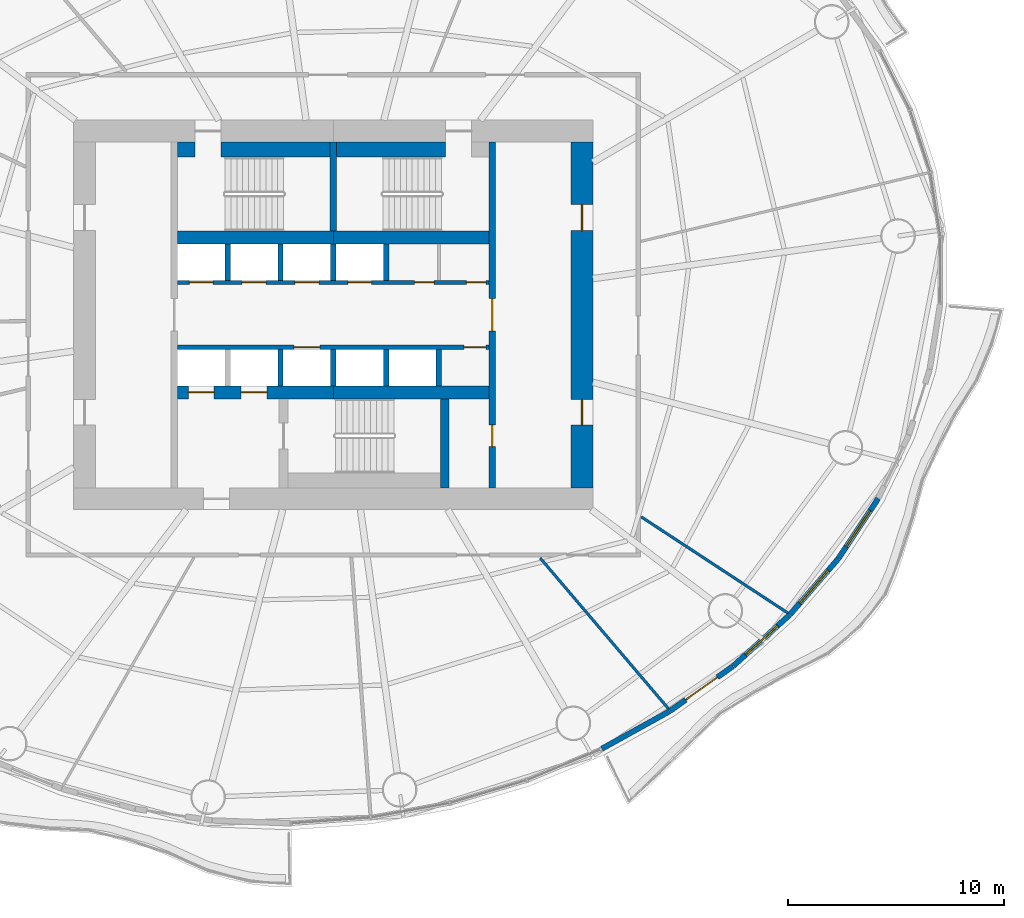
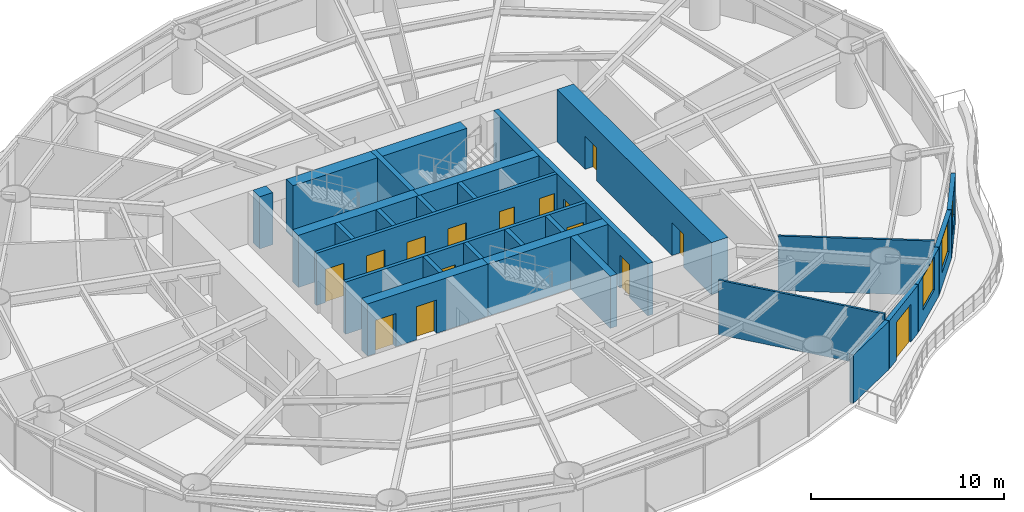
# One storey, part 9 of 16: 28 walls, 15 doors, 3 windows, 18 openings.
"""IFC4 building model written with IfcOpenShell, lengths in metres."""

import ifcopenshell
import ifcopenshell.guid

model = None  # the IFC model being written
_history = None  # IfcOwnerHistory: only IFC2X3 demands one
_inside = {}  # id of a spatial element -> (the spatial element, [elements in it])
_under = {}  # id of a project, library or spatial element -> (it, [spatial elements below it])
_declared = {}  # id of a project -> (the project, [libraries it declares])
_typed = {}  # id of a type object -> (the type object, [elements of that type])
_made_of = {}  # id of a material, layer set ... -> (it, [elements and type objects made of it])


def new_model(schema):
    """Start an empty IFC model of exactly this schema.

    Asked for "IFC4X3", IfcOpenShell would pick the latest addendum, in which some entities
    have other attributes; the version numbers below select the first issue.
    IFC2X3 requires an IfcOwnerHistory on every rooted entity: one is made here for all.
    """
    global model, _history
    if schema == "IFC4X3":
        model = ifcopenshell.file(schema_version=(4, 3, 0, 0))
    else:
        model = ifcopenshell.file(schema=schema)
    _inside.clear()
    _under.clear()
    _declared.clear()
    _typed.clear()
    _made_of.clear()
    _history = None
    if model.schema == "IFC2X3":
        org = make("IfcOrganization", Name="unknown")
        user = make(
            "IfcPersonAndOrganization",
            ThePerson=make("IfcPerson", FamilyName="unknown"),
            TheOrganization=org,
        )
        app = make(
            "IfcApplication",
            ApplicationDeveloper=org,
            Version="unknown",
            ApplicationFullName="unknown",
            ApplicationIdentifier="unknown",
        )
        _history = make(
            "IfcOwnerHistory",
            OwningUser=user,
            OwningApplication=app,
            ChangeAction="ADDED",
            CreationDate=0,
        )
    return model


def make(cls, **values):
    """One entity of the class cls with the attributes given. An attribute that is None is left unset."""
    return model.create_entity(
        cls, **{name: value for name, value in values.items() if value is not None}
    )


def rooted(cls, **values):
    """An entity with a GlobalId (a new one), such as an element, a storey or a relation."""
    return make(cls, GlobalId=ifcopenshell.guid.new(), OwnerHistory=_history, **values)


def si_unit(unit_type, name, prefix=None):
    """IfcSIUnit, for example si_unit("LENGTHUNIT", "METRE", prefix="MILLI")."""
    return make("IfcSIUnit", UnitType=unit_type, Prefix=prefix, Name=name)


def assignment(units):
    """IfcUnitAssignment: the units of a project."""
    return None if units is None else make("IfcUnitAssignment", Units=units)


def point(xyz):
    """IfcCartesianPoint."""
    return None if xyz is None else make("IfcCartesianPoint", Coordinates=xyz)


def direction(xyz):
    """IfcDirection."""
    return None if xyz is None else make("IfcDirection", DirectionRatios=xyz)


def frame(location, z_axis=None, x_axis=None):
    """IfcAxis2Placement3D, a coordinate frame: its origin and axes. An axis left out is left unset."""
    return make(
        "IfcAxis2Placement3D",
        Location=point(location),
        Axis=direction(z_axis),
        RefDirection=direction(x_axis),
    )


def frame_2d(location, x_axis=None):
    """IfcAxis2Placement2D, a coordinate frame in the plane: its origin and x axis."""
    return make(
        "IfcAxis2Placement2D", Location=point(location), RefDirection=direction(x_axis)
    )


def origin():
    """The frame at (0, 0, 0) with its axes left unset."""
    return frame((0.0, 0.0, 0.0))


def place(relative_to, where):
    """IfcLocalPlacement: puts the frame where relative to a parent placement (None: the world)."""
    return make(
        "IfcLocalPlacement", PlacementRelTo=relative_to, RelativePlacement=where
    )


def context(
    kind, dimensions, precision=None, world=None, true_north=None, identifier=None
):
    """IfcGeometricRepresentationContext, for example the 3D "Model" context."""
    return make(
        "IfcGeometricRepresentationContext",
        ContextIdentifier=identifier,
        ContextType=kind,
        CoordinateSpaceDimension=dimensions,
        Precision=precision,
        WorldCoordinateSystem=world,
        TrueNorth=true_north,
    )


def subcontext(parent, identifier, kind, view, scale=None):
    """IfcGeometricRepresentationSubContext, for example "Body" below "Model"."""
    return make(
        "IfcGeometricRepresentationSubContext",
        ContextIdentifier=identifier,
        ContextType=kind,
        ParentContext=parent,
        TargetScale=scale,
        TargetView=view,
    )


def project(units=None, contexts=None):
    """IfcProject with its units and contexts."""
    return rooted(
        "IfcProject",
        Name="project",
        RepresentationContexts=contexts,
        UnitsInContext=assignment(units),
    )


def spatial(cls, under=None, at=None, **own):
    """A site, building, storey or space (cls), placed at a placement, below another one or the project."""
    s = rooted(cls, ObjectPlacement=at, **own)
    if under is not None:
        _under.setdefault(under.id(), (under, []))[1].append(s)
    return s


def profile(cls, at=None, kind="AREA", **sizes):
    """A parametric profile (cls). Its sizes go by their IFC names, for example OverallWidth=200.0."""
    return make(cls, ProfileType=kind, Position=at, **sizes)


def rectangle(**sizes):
    """IfcRectangleProfileDef."""
    return profile("IfcRectangleProfileDef", **sizes)


def extrude(swept, where, along, depth):
    """IfcExtrudedAreaSolid: the profile swept, set in the frame where, extruded along a direction by depth."""
    return make(
        "IfcExtrudedAreaSolid",
        SweptArea=swept,
        Position=where,
        ExtrudedDirection=direction(along),
        Depth=depth,
    )


def shape(context_of_items, identifier, shape_type, items):
    """IfcShapeRepresentation: the items that make up one representation, for example the "Body"."""
    return make(
        "IfcShapeRepresentation",
        ContextOfItems=context_of_items,
        RepresentationIdentifier=identifier,
        RepresentationType=shape_type,
        Items=items,
    )


def material(Name=None, Category=None):
    """IfcMaterial."""
    return make("IfcMaterial", Name=Name, Category=Category)


def layer(
    of_material, thickness, ventilated=None, Name=None, Category=None, Priority=None
):
    """IfcMaterialLayer: one layer of a wall or slab, of a material (None: an air gap)."""
    return make(
        "IfcMaterialLayer",
        Material=of_material,
        LayerThickness=thickness,
        IsVentilated=ventilated,
        Name=Name,
        Category=Category,
        Priority=Priority,
    )


def layer_set(layers, Name=None):
    """IfcMaterialLayerSet."""
    return make("IfcMaterialLayerSet", MaterialLayers=layers, LayerSetName=Name)


def made_of(thing, what):
    """Note that an element or type object is made of a material, layer set ...; save() writes the relation."""
    if what is not None:
        _made_of.setdefault(what.id(), (what, []))[1].append(thing)
    return thing


def type_object(cls, material=None, **own):
    """A type object (cls), such as IfcWallType, which elements share."""
    return made_of(rooted(cls, **own), material)


def element(
    cls,
    number,
    at=None,
    inside=None,
    cuts=None,
    type_object=None,
    material=None,
    context=None,
    identifier="Body",
    shape_type=None,
    held_by="IfcProductDefinitionShape",
    body=None,
    shapes=None,
    **own,
):
    """One element of the class cls, such as IfcWall. Its Tag is "e" and its number.

    at: its placement. inside: the storey or other place that contains it. cuts: it is an
    opening in that element (IfcRelVoidsElement). A single representation is given by context,
    identifier, shape_type and body (its items); several are given by shapes. held_by: the class
    of the entity that holds the representations. save() writes the other relations.
    """
    e = rooted(cls, Tag="e%d" % number, ObjectPlacement=at, **own)
    if body is not None:
        shapes = [shape(context, identifier, shape_type, body)]
    if shapes is not None:
        e.Representation = make(held_by, Representations=shapes)
    if inside is not None:
        _inside.setdefault(inside.id(), (inside, []))[1].append(e)
    if cuts is not None:
        rooted(
            "IfcRelVoidsElement", RelatingBuildingElement=cuts, RelatedOpeningElement=e
        )
    if type_object is not None:
        _typed.setdefault(type_object.id(), (type_object, []))[1].append(e)
    return made_of(e, material)


def fill(opening, filler):
    """IfcRelFillsElement: the door or window that sits in an opening."""
    return rooted(
        "IfcRelFillsElement",
        RelatingOpeningElement=opening,
        RelatedBuildingElement=filler,
    )


def aggregate(whole, parts):
    """IfcRelAggregates: a whole, such as a stair, and the parts it consists of."""
    return rooted("IfcRelAggregates", RelatingObject=whole, RelatedObjects=parts)


def save(model, path):
    """Write the relations noted so far, then the file.

    IfcRelAggregates (storeys below a building ...), IfcRelContainedInSpatialStructure (elements
    in a storey), IfcRelDefinesByType, IfcRelAssociatesMaterial and IfcRelDeclares: one each for
    every whole, place, type object, material and project.
    """
    for whole, parts in _under.values():
        aggregate(whole, parts)
    for where, things in _inside.values():
        rooted(
            "IfcRelContainedInSpatialStructure",
            RelatedElements=things,
            RelatingStructure=where,
        )
    for kind, things in _typed.values():
        rooted("IfcRelDefinesByType", RelatedObjects=things, RelatingType=kind)
    for what, things in _made_of.values():
        rooted("IfcRelAssociatesMaterial", RelatedObjects=things, RelatingMaterial=what)
    for by, libraries in _declared.values():
        rooted("IfcRelDeclares", RelatingContext=by, RelatedDefinitions=libraries)
    model.write(path)


model = new_model("IFC4")

# Units and contexts
model_context = context("Model", 3, precision=1e-05, world=origin(), true_north=direction((0.0, 1.0)))
body_context = subcontext(model_context, "Body", "Model", "MODEL_VIEW")
ifc_project = project(units=[si_unit("LENGTHUNIT", "METRE"), si_unit("AREAUNIT", "SQUARE_METRE"), si_unit("VOLUMEUNIT", "CUBIC_METRE"), si_unit("PLANEANGLEUNIT", "RADIAN"), si_unit("MASSUNIT", "GRAM", prefix="KILO")], contexts=[model_context])

# Site, building, storey
site_placement = place(None, origin())
site = spatial("IfcSite", under=ifc_project, at=site_placement, CompositionType="ELEMENT")
building_placement = place(site_placement, origin())
building = spatial("IfcBuilding", under=site, at=building_placement, Name="Vermilion Reach Broadcast Tower", CompositionType="ELEMENT")
storey_placement = place(building_placement, frame((0.0, 0.0, 88.60009765625)))
storey = spatial("IfcBuildingStorey", under=building, at=storey_placement, Name="L19", CompositionType="ELEMENT", Elevation=88.60009765625)

# Wall, openings, doors
ifc_material_1 = material(Name="Concrete C70", Category="concrete")
ifc_layer_1 = layer(ifc_material_1, 0.300048828125)
ifc_layer_set_1 = layer_set([ifc_layer_1], Name="Core inner wall 300 mm Concrete C70")
wall_type_1 = type_object("IfcWallType", Name="Core inner wall 300 mm Concrete C70", PredefinedType="SHEAR", material=ifc_layer_set_1)
wall_1_placement = place(storey_placement, frame((1.35009765625, -8.0, 0.0), z_axis=(0.0, 0.0, 1.0), x_axis=(0.0, 1.0, 0.0)))
wall_1 = element("IfcWall", 1, at=wall_1_placement, inside=storey, type_object=wall_type_1, Name="L19 core wall ewE", PredefinedType="SHEAR", context=body_context, shape_type="SweptSolid", body=[
    extrude(rectangle(XDim=16.0, YDim=0.300048828125, at=frame_2d((8.0, 0.0))), origin(), (0.0, 0.0, 1.0), 3.2998046875),
])
opening_1_placement = place(wall_1_placement, frame((1.909912109375, 0.0, 0.0)))
opening_1 = element("IfcOpeningElement", 2, at=opening_1_placement, cuts=wall_1, Name="Opening D05", PredefinedType="OPENING", context=body_context, shape_type="SweptSolid", body=[
    extrude(rectangle(XDim=1.0, YDim=2.10009765625, at=frame_2d((0.5, 1.050048828125))), frame((0.0, 0.159912109375, 0.0), z_axis=(0.0, -1.0, 0.0), x_axis=(1.0, 0.0, 0.0)), (0.0, 0.0, 1.0), 0.320068359375),
])
opening_2_placement = place(wall_1_placement, frame((7.25, 0.0, 0.0)))
opening_2 = element("IfcOpeningElement", 3, at=opening_2_placement, cuts=wall_1, Name="Opening D04", PredefinedType="OPENING", context=body_context, shape_type="SweptSolid", body=[
    extrude(rectangle(XDim=1.5, YDim=2.10009765625, at=frame_2d((0.75, 1.050048828125))), frame((0.0, 0.159912109375, 0.0), z_axis=(0.0, -1.0, 0.0), x_axis=(1.0, 0.0, 0.0)), (0.0, 0.0, 1.0), 0.320068359375),
])
ifc_material_2 = material(Name="Painted steel fire door", Category="steel")
door_type_1 = type_object("IfcDoorType", Name="Lift lobby door 1500 x 2100", OperationType="DOUBLE_DOOR_SINGLE_SWING", PredefinedType="NOTDEFINED", material=ifc_material_2)
door_1_placement = place(opening_2_placement, origin())
door_1 = element("IfcDoor", 4, at=door_1_placement, inside=storey, type_object=door_type_1, Name="L19 band door BE", OperationType="DOUBLE_DOOR_SINGLE_SWING", OverallHeight=2.10009765625, OverallWidth=1.5, PredefinedType="NOTDEFINED", context=body_context, shape_type="SweptSolid", body=[
    extrude(rectangle(XDim=1.5, YDim=2.10009765625, at=frame_2d((0.75, 1.050048828125))), frame((0.0, 0.02490234375, 0.0), z_axis=(0.0, -1.0, 0.0), x_axis=(1.0, 0.0, 0.0)), (0.0, 0.0, 1.0), 0.050048828125),
])
fill(opening_2, door_1)
ifc_material_3 = material(Name="Timber door", Category="wood")
door_type_2 = type_object("IfcDoorType", Name="Room door 1000 x 2100", OperationType="NOTDEFINED", PredefinedType="NOTDEFINED", material=ifc_material_3)
door_2_placement = place(opening_1_placement, origin())
door_2 = element("IfcDoor", 5, at=door_2_placement, inside=storey, type_object=door_type_2, Name="L19 door SER", OperationType="SINGLE_SWING_LEFT", OverallHeight=2.10009765625, OverallWidth=1.0, PredefinedType="NOTDEFINED", context=body_context, shape_type="SweptSolid", body=[
    extrude(rectangle(XDim=1.0, YDim=2.10009765625, at=frame_2d((0.5, 1.050048828125))), frame((0.0, 0.02490234375, 0.0), z_axis=(0.0, -1.0, 0.0), x_axis=(1.0, 0.0, 0.0)), (0.0, 0.0, 1.0), 0.050048828125),
])
fill(opening_1, door_2)

# Walls
wall_2_placement = place(storey_placement, frame((-6.0, 3.8798828125, 0.0), z_axis=(0.0, 0.0, 1.0), x_axis=(0.0, 1.0, 0.0)))
element("IfcWall", 6, at=wall_2_placement, inside=storey, type_object=wall_type_1, Name="L19 core wall wc", PredefinedType="SHEAR", context=body_context, shape_type="SweptSolid", body=[
    extrude(rectangle(XDim=4.1201171875, YDim=0.300048828125, at=frame_2d((2.06005859375, 0.0))), origin(), (0.0, 0.0, 1.0), 3.2998046875),
])
ifc_material_4 = material(Name="Concrete C70", Category="concrete")
ifc_layer_2 = layer(ifc_material_4, 0.39990234375)
ifc_layer_set_2 = layer_set([ifc_layer_2], Name="Core inner wall 400 mm Concrete C70")
wall_type_2 = type_object("IfcWallType", Name="Core inner wall 400 mm Concrete C70", PredefinedType="SHEAR", material=ifc_layer_set_2)
wall_3_placement = place(storey_placement, frame((-0.85009765625, -3.8798828125, 0.0), z_axis=(0.0, 0.0, 1.0), x_axis=(0.0, -1.0, 0.0)))
element("IfcWall", 7, at=wall_3_placement, inside=storey, type_object=wall_type_2, Name="L19 core wall wb", PredefinedType="SHEAR", context=body_context, shape_type="SweptSolid", body=[
    extrude(rectangle(XDim=4.1201171875, YDim=0.39990234375, at=frame_2d((2.06005859375, 0.0))), origin(), (0.0, 0.0, 1.0), 3.2998046875),
])
ifc_material_5 = material(Name="Concrete C70", Category="concrete")
ifc_layer_3 = layer(ifc_material_5, 0.60009765625)
ifc_layer_set_3 = layer_set([ifc_layer_3], Name="Core inner wall 600 mm Concrete C70")
wall_type_3 = type_object("IfcWallType", Name="Core inner wall 600 mm Concrete C70", PredefinedType="SHEAR", material=ifc_layer_set_3)
for number, where, z_axis, x_axis, name in (
    (8, (-13.199951171875, 3.580078125, 0.0), (0.0, 0.0, 1.0), (1.0, 0.0, 0.0), "L19 core wall winW"),
    (9, (-6.0, 3.580078125, 0.0), (0.0, 0.0, 1.0), (1.0, 0.0, 0.0), "L19 core wall winE"),
):
    element("IfcWall", number, at=place(storey_placement, frame(where, z_axis=z_axis, x_axis=x_axis)), inside=storey, type_object=wall_type_3, Name=name, PredefinedType="SHEAR", context=body_context, shape_type="SweptSolid", body=[
        extrude(rectangle(XDim=7.199951171875, YDim=0.60009765625, at=frame_2d((3.60009765625, 0.0))), origin(), (0.0, 0.0, 1.0), 3.2998046875),
    ])

# Wall, openings, doors
wall_4_placement = place(storey_placement, frame((-13.199951171875, -3.580078125, 0.0), z_axis=(0.0, 0.0, 1.0), x_axis=(1.0, 0.0, 0.0)))
wall_4 = element("IfcWall", 10, at=wall_4_placement, inside=storey, type_object=wall_type_3, Name="L19 core wall wisW", PredefinedType="SHEAR", context=body_context, shape_type="SweptSolid", body=[
    extrude(rectangle(XDim=7.199951171875, YDim=0.60009765625, at=frame_2d((3.60009765625, 0.0))), origin(), (0.0, 0.0, 1.0), 3.2998046875),
])
opening_3_placement = place(wall_4_placement, frame((0.495849609375, 0.0, 0.0)))
opening_3 = element("IfcOpeningElement", 11, at=opening_3_placement, cuts=wall_4, Name="Opening LD1", PredefinedType="OPENING", context=body_context, shape_type="SweptSolid", body=[
    extrude(rectangle(XDim=1.199951171875, YDim=2.10009765625, at=frame_2d((0.60009765625, 1.050048828125))), frame((0.0, 0.31005859375, 0.0), z_axis=(0.0, -1.0, 0.0), x_axis=(1.0, 0.0, 0.0)), (0.0, 0.0, 1.0), 0.6201171875),
])
opening_4_placement = place(wall_4_placement, frame((2.9375, 0.0, 0.0)))
opening_4 = element("IfcOpeningElement", 12, at=opening_4_placement, cuts=wall_4, Name="Opening LD1", PredefinedType="OPENING", context=body_context, shape_type="SweptSolid", body=[
    extrude(rectangle(XDim=1.199951171875, YDim=2.10009765625, at=frame_2d((0.60009765625, 1.050048828125))), frame((0.0, 0.31005859375, 0.0), z_axis=(0.0, -1.0, 0.0), x_axis=(1.0, 0.0, 0.0)), (0.0, 0.0, 1.0), 0.6201171875),
])
ifc_material_6 = material(Name="Stainless steel", Category="steel")
door_type_3 = type_object("IfcDoorType", Name="Landing door 1200 x 2100", OperationType="DOUBLE_DOOR_SLIDING", PredefinedType="NOTDEFINED", material=ifc_material_6)
door_3_placement = place(opening_3_placement, origin())
door_3 = element("IfcDoor", 13, at=door_3_placement, inside=storey, type_object=door_type_3, Name="L19 landing door FF1", OperationType="DOUBLE_DOOR_SLIDING", OverallHeight=2.10009765625, OverallWidth=1.199951171875, PredefinedType="NOTDEFINED", context=body_context, shape_type="SweptSolid", body=[
    extrude(rectangle(XDim=1.199951171875, YDim=2.10009765625, at=frame_2d((0.60009765625, 1.050048828125))), frame((0.0, 0.02490234375, 0.0), z_axis=(0.0, -1.0, 0.0), x_axis=(1.0, 0.0, 0.0)), (0.0, 0.0, 1.0), 0.050048828125),
])
fill(opening_3, door_3)
door_4_placement = place(opening_4_placement, origin())
door_4 = element("IfcDoor", 14, at=door_4_placement, inside=storey, type_object=door_type_3, Name="L19 landing door FF2", OperationType="DOUBLE_DOOR_SLIDING", OverallHeight=2.10009765625, OverallWidth=1.199951171875, PredefinedType="NOTDEFINED", context=body_context, shape_type="SweptSolid", body=[
    extrude(rectangle(XDim=1.199951171875, YDim=2.10009765625, at=frame_2d((0.60009765625, 1.050048828125))), frame((0.0, 0.02490234375, 0.0), z_axis=(0.0, -1.0, 0.0), x_axis=(1.0, 0.0, 0.0)), (0.0, 0.0, 1.0), 0.050048828125),
])
fill(opening_4, door_4)

# Wall
wall_5_placement = place(storey_placement, frame((-6.0, -3.580078125, 0.0), z_axis=(0.0, 0.0, 1.0), x_axis=(1.0, 0.0, 0.0)))
element("IfcWall", 15, at=wall_5_placement, inside=storey, type_object=wall_type_3, Name="L19 core wall wisE", PredefinedType="SHEAR", context=body_context, shape_type="SweptSolid", body=[
    extrude(rectangle(XDim=7.199951171875, YDim=0.60009765625, at=frame_2d((3.60009765625, 0.0))), origin(), (0.0, 0.0, 1.0), 3.2998046875),
])

# Wall, openings, doors
ifc_material_7 = material(Name="Concrete C70", Category="concrete")
ifc_layer_4 = layer(ifc_material_7, 1.0)
ifc_layer_set_4 = layer_set([ifc_layer_4], Name="Core outer wall 1000 mm Concrete C70")
wall_type_4 = type_object("IfcWallType", Name="Core outer wall 1000 mm Concrete C70", PredefinedType="SHEAR", material=ifc_layer_set_4)
wall_6_placement = place(storey_placement, frame((5.5, -8.0, 0.0), z_axis=(0.0, 0.0, 1.0), x_axis=(0.0, 1.0, 0.0)))
wall_6 = element("IfcWall", 16, at=wall_6_placement, inside=storey, type_object=wall_type_4, Name="L19 core wall oe", PredefinedType="SHEAR", context=body_context, shape_type="SweptSolid", body=[
    extrude(rectangle(XDim=16.0, YDim=1.0, at=frame_2d((8.0, 0.0))), origin(), (0.0, 0.0, 1.0), 3.2998046875),
])
opening_5_placement = place(wall_6_placement, frame((2.89990234375, 0.0, 0.0)))
opening_5 = element("IfcOpeningElement", 17, at=opening_5_placement, cuts=wall_6, Name="Opening D03", PredefinedType="OPENING", context=body_context, shape_type="SweptSolid", body=[
    extrude(rectangle(XDim=1.199951171875, YDim=2.10009765625, at=frame_2d((0.60009765625, 1.050048828125))), frame((0.0, 0.510009765625, 0.0), z_axis=(0.0, -1.0, 0.0), x_axis=(1.0, 0.0, 0.0)), (0.0, 0.0, 1.0), 1.02001953125),
])
opening_6_placement = place(wall_6_placement, frame((11.89990234375, 0.0, 0.0)))
opening_6 = element("IfcOpeningElement", 18, at=opening_6_placement, cuts=wall_6, Name="Opening D03", PredefinedType="OPENING", context=body_context, shape_type="SweptSolid", body=[
    extrude(rectangle(XDim=1.199951171875, YDim=2.10009765625, at=frame_2d((0.60009765625, 1.050048828125))), frame((0.0, 0.510009765625, 0.0), z_axis=(0.0, -1.0, 0.0), x_axis=(1.0, 0.0, 0.0)), (0.0, 0.0, 1.0), 1.02001953125),
])
ifc_material_8 = material(Name="Painted steel fire door", Category="steel")
door_type_4 = type_object("IfcDoorType", Name="Core lobby door 1200 x 2100", OperationType="DOUBLE_DOOR_SINGLE_SWING", PredefinedType="NOTDEFINED", material=ifc_material_8)
door_5_placement = place(opening_5_placement, origin())
door_5 = element("IfcDoor", 19, at=door_5_placement, inside=storey, type_object=door_type_4, Name="L19 slot door E0", OperationType="DOUBLE_DOOR_SINGLE_SWING", OverallHeight=2.10009765625, OverallWidth=1.199951171875, PredefinedType="NOTDEFINED", context=body_context, shape_type="SweptSolid", body=[
    extrude(rectangle(XDim=1.199951171875, YDim=2.10009765625, at=frame_2d((0.60009765625, 1.050048828125))), frame((0.0, 0.02490234375, 0.0), z_axis=(0.0, -1.0, 0.0), x_axis=(1.0, 0.0, 0.0)), (0.0, 0.0, 1.0), 0.050048828125),
])
fill(opening_5, door_5)
door_6_placement = place(opening_6_placement, origin())
door_6 = element("IfcDoor", 20, at=door_6_placement, inside=storey, type_object=door_type_4, Name="L19 slot door E1", OperationType="DOUBLE_DOOR_SINGLE_SWING", OverallHeight=2.10009765625, OverallWidth=1.199951171875, PredefinedType="NOTDEFINED", context=body_context, shape_type="SweptSolid", body=[
    extrude(rectangle(XDim=1.199951171875, YDim=2.10009765625, at=frame_2d((0.60009765625, 1.050048828125))), frame((0.0, 0.02490234375, 0.0), z_axis=(0.0, -1.0, 0.0), x_axis=(1.0, 0.0, 0.0)), (0.0, 0.0, 1.0), 0.050048828125),
])
fill(opening_6, door_6)

ifc_material_9 = material(Name="Concrete C50", Category="concrete")
ifc_layer_5 = layer(ifc_material_9, 0.199951171875)
ifc_layer_set_5 = layer_set([ifc_layer_5], Name="Core shaft wall 200 mm Concrete C50")
wall_type_5 = type_object("IfcWallType", Name="Core shaft wall 200 mm Concrete C50", PredefinedType="SHEAR", material=ifc_layer_set_5)
wall_7_placement = place(storey_placement, frame((-13.199951171875, 1.5, 0.0), z_axis=(0.0, 0.0, 1.0), x_axis=(1.0, 0.0, 0.0)))
wall_7 = element("IfcWall", 21, at=wall_7_placement, inside=storey, type_object=wall_type_5, Name="L19 core wall fn", PredefinedType="SHEAR", context=body_context, shape_type="SweptSolid", body=[
    extrude(rectangle(XDim=14.39990234375, YDim=0.199951171875, at=frame_2d((7.199951171875, 0.0))), origin(), (0.0, 0.0, 1.0), 3.2998046875),
])
opening_7_placement = place(wall_7_placement, frame((0.5458984375, 0.0, 0.0)))
opening_7 = element("IfcOpeningElement", 22, at=opening_7_placement, cuts=wall_7, Name="Opening LD2", PredefinedType="OPENING", context=body_context, shape_type="SweptSolid", body=[
    extrude(rectangle(XDim=1.10009765625, YDim=2.10009765625, at=frame_2d((0.550048828125, 1.050048828125))), frame((0.0, 0.10986328125, 0.0), z_axis=(0.0, -1.0, 0.0), x_axis=(1.0, 0.0, 0.0)), (0.0, 0.0, 1.0), 0.219970703125),
])
opening_8_placement = place(wall_7_placement, frame((2.987548828125, 0.0, 0.0)))
opening_8 = element("IfcOpeningElement", 23, at=opening_8_placement, cuts=wall_7, Name="Opening LD2", PredefinedType="OPENING", context=body_context, shape_type="SweptSolid", body=[
    extrude(rectangle(XDim=1.10009765625, YDim=2.10009765625, at=frame_2d((0.550048828125, 1.050048828125))), frame((0.0, 0.10986328125, 0.0), z_axis=(0.0, -1.0, 0.0), x_axis=(1.0, 0.0, 0.0)), (0.0, 0.0, 1.0), 0.219970703125),
])
opening_9_placement = place(wall_7_placement, frame((5.42919921875, 0.0, 0.0)))
opening_9 = element("IfcOpeningElement", 24, at=opening_9_placement, cuts=wall_7, Name="Opening LD2", PredefinedType="OPENING", context=body_context, shape_type="SweptSolid", body=[
    extrude(rectangle(XDim=1.10009765625, YDim=2.10009765625, at=frame_2d((0.550048828125, 1.050048828125))), frame((0.0, 0.10986328125, 0.0), z_axis=(0.0, -1.0, 0.0), x_axis=(1.0, 0.0, 0.0)), (0.0, 0.0, 1.0), 0.219970703125),
])
opening_10_placement = place(wall_7_placement, frame((7.870849609375, 0.0, 0.0)))
opening_10 = element("IfcOpeningElement", 25, at=opening_10_placement, cuts=wall_7, Name="Opening LD2", PredefinedType="OPENING", context=body_context, shape_type="SweptSolid", body=[
    extrude(rectangle(XDim=1.10009765625, YDim=2.10009765625, at=frame_2d((0.550048828125, 1.050048828125))), frame((0.0, 0.10986328125, 0.0), z_axis=(0.0, -1.0, 0.0), x_axis=(1.0, 0.0, 0.0)), (0.0, 0.0, 1.0), 0.219970703125),
])
opening_11_placement = place(wall_7_placement, frame((10.958251953125, 0.0, 0.0)))
opening_11 = element("IfcOpeningElement", 26, at=opening_11_placement, cuts=wall_7, Name="Opening D06", PredefinedType="OPENING", context=body_context, shape_type="SweptSolid", body=[
    extrude(rectangle(XDim=0.89990234375, YDim=2.10009765625, at=frame_2d((0.449951171875, 1.050048828125))), frame((0.0, 0.10986328125, 0.0), z_axis=(0.0, -1.0, 0.0), x_axis=(1.0, 0.0, 0.0)), (0.0, 0.0, 1.0), 0.219970703125),
])
opening_12_placement = place(wall_7_placement, frame((13.35009765625, 0.0, 0.0)))
opening_12 = element("IfcOpeningElement", 27, at=opening_12_placement, cuts=wall_7, Name="Opening D06", PredefinedType="OPENING", context=body_context, shape_type="SweptSolid", body=[
    extrude(rectangle(XDim=0.89990234375, YDim=2.10009765625, at=frame_2d((0.449951171875, 1.050048828125))), frame((0.0, 0.10986328125, 0.0), z_axis=(0.0, -1.0, 0.0), x_axis=(1.0, 0.0, 0.0)), (0.0, 0.0, 1.0), 0.219970703125),
])
ifc_material_10 = material(Name="Stainless steel", Category="steel")
door_type_5 = type_object("IfcDoorType", Name="Landing door 1100 x 2100", OperationType="DOUBLE_DOOR_SLIDING", PredefinedType="NOTDEFINED", material=ifc_material_10)
door_7_placement = place(opening_7_placement, origin())
door_7 = element("IfcDoor", 28, at=door_7_placement, inside=storey, type_object=door_type_5, Name="L19 landing door LR1", OperationType="DOUBLE_DOOR_SLIDING", OverallHeight=2.10009765625, OverallWidth=1.10009765625, PredefinedType="NOTDEFINED", context=body_context, shape_type="SweptSolid", body=[
    extrude(rectangle(XDim=1.10009765625, YDim=2.10009765625, at=frame_2d((0.550048828125, 1.050048828125))), frame((0.0, 0.02490234375, 0.0), z_axis=(0.0, -1.0, 0.0), x_axis=(1.0, 0.0, 0.0)), (0.0, 0.0, 1.0), 0.050048828125),
])
fill(opening_7, door_7)
door_8_placement = place(opening_8_placement, origin())
door_8 = element("IfcDoor", 29, at=door_8_placement, inside=storey, type_object=door_type_5, Name="L19 landing door LR2", OperationType="DOUBLE_DOOR_SLIDING", OverallHeight=2.10009765625, OverallWidth=1.10009765625, PredefinedType="NOTDEFINED", context=body_context, shape_type="SweptSolid", body=[
    extrude(rectangle(XDim=1.10009765625, YDim=2.10009765625, at=frame_2d((0.550048828125, 1.050048828125))), frame((0.0, 0.02490234375, 0.0), z_axis=(0.0, -1.0, 0.0), x_axis=(1.0, 0.0, 0.0)), (0.0, 0.0, 1.0), 0.050048828125),
])
fill(opening_8, door_8)
door_9_placement = place(opening_9_placement, origin())
door_9 = element("IfcDoor", 30, at=door_9_placement, inside=storey, type_object=door_type_5, Name="L19 landing door LR3", OperationType="DOUBLE_DOOR_SLIDING", OverallHeight=2.10009765625, OverallWidth=1.10009765625, PredefinedType="NOTDEFINED", context=body_context, shape_type="SweptSolid", body=[
    extrude(rectangle(XDim=1.10009765625, YDim=2.10009765625, at=frame_2d((0.550048828125, 1.050048828125))), frame((0.0, 0.02490234375, 0.0), z_axis=(0.0, -1.0, 0.0), x_axis=(1.0, 0.0, 0.0)), (0.0, 0.0, 1.0), 0.050048828125),
])
fill(opening_9, door_9)
door_10_placement = place(opening_10_placement, origin())
door_10 = element("IfcDoor", 31, at=door_10_placement, inside=storey, type_object=door_type_5, Name="L19 landing door LR4", OperationType="DOUBLE_DOOR_SLIDING", OverallHeight=2.10009765625, OverallWidth=1.10009765625, PredefinedType="NOTDEFINED", context=body_context, shape_type="SweptSolid", body=[
    extrude(rectangle(XDim=1.10009765625, YDim=2.10009765625, at=frame_2d((0.550048828125, 1.050048828125))), frame((0.0, 0.02490234375, 0.0), z_axis=(0.0, -1.0, 0.0), x_axis=(1.0, 0.0, 0.0)), (0.0, 0.0, 1.0), 0.050048828125),
])
fill(opening_10, door_10)
ifc_material_11 = material(Name="Timber door", Category="wood")
door_type_6 = type_object("IfcDoorType", Name="WC door 900 x 2100", OperationType="NOTDEFINED", PredefinedType="NOTDEFINED", material=ifc_material_11)
door_11_placement = place(opening_11_placement, origin())
door_11 = element("IfcDoor", 32, at=door_11_placement, inside=storey, type_object=door_type_6, Name="L19 door Female WC", OperationType="SINGLE_SWING_RIGHT", OverallHeight=2.10009765625, OverallWidth=0.89990234375, PredefinedType="NOTDEFINED", context=body_context, shape_type="SweptSolid", body=[
    extrude(rectangle(XDim=0.89990234375, YDim=2.10009765625, at=frame_2d((0.449951171875, 1.050048828125))), frame((0.0, 0.02490234375, 0.0), z_axis=(0.0, -1.0, 0.0), x_axis=(1.0, 0.0, 0.0)), (0.0, 0.0, 1.0), 0.050048828125),
])
fill(opening_11, door_11)
door_12_placement = place(opening_12_placement, origin())
door_12 = element("IfcDoor", 33, at=door_12_placement, inside=storey, type_object=door_type_6, Name="L19 door Male WC", OperationType="SINGLE_SWING_RIGHT", OverallHeight=2.10009765625, OverallWidth=0.89990234375, PredefinedType="NOTDEFINED", context=body_context, shape_type="SweptSolid", body=[
    extrude(rectangle(XDim=0.89990234375, YDim=2.10009765625, at=frame_2d((0.449951171875, 1.050048828125))), frame((0.0, 0.02490234375, 0.0), z_axis=(0.0, -1.0, 0.0), x_axis=(1.0, 0.0, 0.0)), (0.0, 0.0, 1.0), 0.050048828125),
])
fill(opening_12, door_12)

wall_8_placement = place(storey_placement, frame((1.199951171875, -1.5, 0.0), z_axis=(0.0, 0.0, 1.0), x_axis=(-1.0, 0.0, 0.0)))
wall_8 = element("IfcWall", 34, at=wall_8_placement, inside=storey, type_object=wall_type_5, Name="L19 core wall fs", PredefinedType="SHEAR", context=body_context, shape_type="SweptSolid", body=[
    extrude(rectangle(XDim=14.39990234375, YDim=0.199951171875, at=frame_2d((7.199951171875, 0.0))), origin(), (0.0, 0.0, 1.0), 3.2998046875),
])
opening_13_placement = place(wall_8_placement, frame((7.82080078125, 0.0, 0.0)))
opening_13 = element("IfcOpeningElement", 35, at=opening_13_placement, cuts=wall_8, Name="Opening LD1", PredefinedType="OPENING", context=body_context, shape_type="SweptSolid", body=[
    extrude(rectangle(XDim=1.199951171875, YDim=2.10009765625, at=frame_2d((0.60009765625, 1.050048828125))), frame((0.0, 0.10986328125, 0.0), z_axis=(0.0, -1.0, 0.0), x_axis=(1.0, 0.0, 0.0)), (0.0, 0.0, 1.0), 0.219970703125),
])
opening_14_placement = place(wall_8_placement, frame((0.14990234375, 0.0, 0.0)))
opening_14 = element("IfcOpeningElement", 36, at=opening_14_placement, cuts=wall_8, Name="Opening D07", PredefinedType="OPENING", context=body_context, shape_type="SweptSolid", body=[
    extrude(rectangle(XDim=1.0, YDim=2.10009765625, at=frame_2d((0.5, 1.050048828125))), frame((0.0, 0.10986328125, 0.0), z_axis=(0.0, -1.0, 0.0), x_axis=(1.0, 0.0, 0.0)), (0.0, 0.0, 1.0), 0.219970703125),
])
ifc_material_12 = material(Name="Timber door", Category="wood")
door_type_7 = type_object("IfcDoorType", Name="Accessible WC door 1000 x 2100", OperationType="NOTDEFINED", PredefinedType="NOTDEFINED", material=ifc_material_12)
door_13_placement = place(opening_14_placement, origin())
door_13 = element("IfcDoor", 37, at=door_13_placement, inside=storey, type_object=door_type_7, Name="L19 door Accessible WC", OperationType="SINGLE_SWING_LEFT", OverallHeight=2.10009765625, OverallWidth=1.0, PredefinedType="NOTDEFINED", context=body_context, shape_type="SweptSolid", body=[
    extrude(rectangle(XDim=1.0, YDim=2.10009765625, at=frame_2d((0.5, 1.050048828125))), frame((0.0, 0.02490234375, 0.0), z_axis=(0.0, -1.0, 0.0), x_axis=(1.0, 0.0, 0.0)), (0.0, 0.0, 1.0), 0.050048828125),
])
fill(opening_14, door_13)
door_14_placement = place(opening_13_placement, origin())
door_14 = element("IfcDoor", 38, at=door_14_placement, inside=storey, type_object=door_type_3, Name="L19 landing door SV1", OperationType="DOUBLE_DOOR_SLIDING", OverallHeight=2.10009765625, OverallWidth=1.199951171875, PredefinedType="NOTDEFINED", context=body_context, shape_type="SweptSolid", body=[
    extrude(rectangle(XDim=1.199951171875, YDim=2.10009765625, at=frame_2d((0.60009765625, 1.050048828125))), frame((0.0, 0.02490234375, 0.0), z_axis=(0.0, -1.0, 0.0), x_axis=(1.0, 0.0, 0.0)), (0.0, 0.0, 1.0), 0.050048828125),
])
fill(opening_13, door_14)

# Walls
ifc_material_13 = material(Name="Concrete C50", Category="concrete")
ifc_layer_6 = layer(ifc_material_13, 0.25)
ifc_layer_set_6 = layer_set([ifc_layer_6], Name="Core shaft wall 250 mm Concrete C50")
wall_type_6 = type_object("IfcWallType", Name="Core shaft wall 250 mm Concrete C50", PredefinedType="SHEAR", material=ifc_layer_set_6)
for number, where, z_axis, x_axis, name in (
    (39, (-10.88330078125, 1.60009765625, 0.0), (0.0, 0.0, 1.0), (0.0, 1.0, 0.0), "L19 core wall psN0"),
    (40, (-8.441650390625, 1.60009765625, 0.0), (0.0, 0.0, 1.0), (0.0, 1.0, 0.0), "L19 core wall psN1"),
    (41, (-6.0, 1.60009765625, 0.0), (0.0, 0.0, 1.0), (0.0, 1.0, 0.0), "L19 core wall psN2"),
    (42, (-3.558349609375, 1.60009765625, 0.0), (0.0, 0.0, 1.0), (0.0, 1.0, 0.0), "L19 core wall psN3"),
    (43, (-8.441650390625, -1.60009765625, 0.0), (0.0, 0.0, 1.0), (0.0, -1.0, 0.0), "L19 core wall psS1"),
    (44, (-6.0, -1.60009765625, 0.0), (0.0, 0.0, 1.0), (0.0, -1.0, 0.0), "L19 core wall psS2"),
    (45, (-3.558349609375, -1.60009765625, 0.0), (0.0, 0.0, 1.0), (0.0, -1.0, 0.0), "L19 core wall psS3"),
    (46, (-1.11669921875, -1.60009765625, 0.0), (0.0, 0.0, 1.0), (0.0, -1.0, 0.0), "L19 core wall psS4"),
):
    element("IfcWall", number, at=place(storey_placement, frame(where, z_axis=z_axis, x_axis=x_axis)), inside=storey, type_object=wall_type_6, Name=name, PredefinedType="SHEAR", context=body_context, shape_type="SweptSolid", body=[
        extrude(rectangle(XDim=1.679931640625, YDim=0.25, at=frame_2d((0.83984375, 0.0))), origin(), (0.0, 0.0, 1.0), 3.2998046875),
    ])
ifc_material_14 = material(Name="Concrete C70", Category="concrete")
ifc_layer_7 = layer(ifc_material_14, 0.699951171875)
ifc_layer_set_7 = layer_set([ifc_layer_7], Name="Core stair wall 700 mm Concrete C70")
wall_type_7 = type_object("IfcWallType", Name="Core stair wall 700 mm Concrete C70", PredefinedType="SHEAR", material=ifc_layer_set_7)
wall_9_placement = place(storey_placement, frame((-13.199951171875, 7.64990234375, 0.0), z_axis=(0.0, 0.0, 1.0), x_axis=(1.0, 0.0, 0.0)))
element("IfcWall", 47, at=wall_9_placement, inside=storey, type_object=wall_type_7, Name="L19 core wall l1a", PredefinedType="SHEAR", context=body_context, shape_type="SweptSolid", body=[
    extrude(rectangle(XDim=0.800048828125, YDim=0.699951171875, at=frame_2d((0.39990234375, 0.0))), origin(), (0.0, 0.0, 1.0), 3.2998046875),
])
for number, where, z_axis, x_axis, name in (
    (48, (-11.199951171875, 7.64990234375, 0.0), (0.0, 0.0, 1.0), (1.0, 0.0, 0.0), "L19 core wall l1b"),
    (49, (-5.85009765625, 7.64990234375, 0.0), (0.0, 0.0, 1.0), (1.0, 0.0, 0.0), "L19 core wall l2a"),
):
    element("IfcWall", number, at=place(storey_placement, frame(where, z_axis=z_axis, x_axis=x_axis)), inside=storey, type_object=wall_type_7, Name=name, PredefinedType="SHEAR", context=body_context, shape_type="SweptSolid", body=[
        extrude(rectangle(XDim=5.050048828125, YDim=0.699951171875, at=frame_2d((2.52490234375, 0.0))), origin(), (0.0, 0.0, 1.0), 3.2998046875),
    ])
ifc_material_15 = material(Name="Fire-rated plasterboard on steel stud", Category="steel")
ifc_layer_8 = layer(ifc_material_15, 0.125)
ifc_layer_set_8 = layer_set([ifc_layer_8], Name="Partition 125 fire-rated stud")
wall_type_8 = type_object("IfcWallType", Name="Partition 125 fire-rated stud", PredefinedType="PARTITIONING", material=ifc_layer_set_8)
wall_10_placement = place(storey_placement, frame((9.496337890625, -18.208984375, 0.0), z_axis=(0.0, 0.0, 1.0), x_axis=(-0.648104472947, 0.761551437624, 0.0)))
element("IfcWall", 50, at=wall_10_placement, inside=storey, type_object=wall_type_8, Name="Partition 19.09", PredefinedType="PARTITIONING", context=body_context, shape_type="SweptSolid", body=[
    extrude(rectangle(XDim=9.150390625, YDim=0.125, at=frame_2d((4.5751953125, 0.0))), origin(), (0.0, 0.0, 1.0), 3.449951171875),
])
wall_11_placement = place(storey_placement, frame((15.012939453125, -13.7802734375, 0.0), z_axis=(0.0, 0.0, 1.0), x_axis=(-0.836224442923, 0.548387345822, 0.0)))
element("IfcWall", 51, at=wall_11_placement, inside=storey, type_object=wall_type_8, Name="Partition 19.10", PredefinedType="PARTITIONING", context=body_context, shape_type="SweptSolid", body=[
    extrude(rectangle(XDim=8.106201171875, YDim=0.125, at=frame_2d((4.05322265625, 0.0))), origin(), (0.0, 0.0, 1.0), 3.449951171875),
])
ifc_material_16 = material(Name="Terracotta rainscreen cladding", Category="masonry")
ifc_layer_9 = layer(ifc_material_16, 0.25)
ifc_layer_set_9 = layer_set([ifc_layer_9], Name="Terracotta rainscreen wall 250")
wall_type_9 = type_object("IfcWallType", Name="Terracotta rainscreen wall 250", PredefinedType="SOLIDWALL", material=ifc_layer_set_9)
wall_12_placement = place(storey_placement, frame((6.41455078125, -20.05908203125, 0.0), z_axis=(0.0, 0.0, 1.0), x_axis=(0.874740773149, 0.484591147042, 0.0)))
element("IfcWall", 52, at=wall_12_placement, inside=storey, type_object=wall_type_9, Name="External wall L19 38", PredefinedType="SOLIDWALL", context=body_context, shape_type="SweptSolid", body=[
    extrude(rectangle(XDim=3.588134765625, YDim=0.25, at=frame_2d((1.7939453125, 0.0))), origin(), (0.0, 0.0, 1.0), 3.0498046875),
])

# Wall, opening, door
wall_13_placement = place(storey_placement, frame((9.572021484375, -18.308349609375, 0.0), z_axis=(0.0, 0.0, 1.0), x_axis=(0.814702052805, 0.579879785089, 0.0)))
wall_13 = element("IfcWall", 53, at=wall_13_placement, inside=storey, type_object=wall_type_9, Name="External wall L19 39", PredefinedType="SOLIDWALL", context=body_context, shape_type="SweptSolid", body=[
    extrude(rectangle(XDim=3.572265625, YDim=0.25, at=frame_2d((1.7861328125, 0.0))), origin(), (0.0, 0.0, 1.0), 3.0498046875),
])
opening_15_placement = place(wall_13_placement, frame((0.885986328125, 0.0, 0.0)))
opening_15 = element("IfcOpeningElement", 54, at=opening_15_placement, cuts=wall_13, Name="Opening D70", PredefinedType="OPENING", context=body_context, shape_type="SweptSolid", body=[
    extrude(rectangle(XDim=1.800048828125, YDim=2.39990234375, at=frame_2d((0.89990234375, 1.199951171875))), frame((0.0, 0.135009765625, 0.0), z_axis=(0.0, -1.0, 0.0), x_axis=(1.0, 0.0, 0.0)), (0.0, 0.0, 1.0), 0.27001953125),
])
ifc_material_17 = material(Name="Low-e laminated clear glass in aluminium frame", Category="aluminium")
door_type_8 = type_object("IfcDoorType", Name="Balcony sliding door 1800 x 2400", OperationType="DOUBLE_DOOR_SLIDING", PredefinedType="DOOR", material=ifc_material_17)
door_15_placement = place(opening_15_placement, origin())
door_15 = element("IfcDoor", 55, at=door_15_placement, inside=storey, type_object=door_type_8, Name="Balcony door L19 run 10", OperationType="DOUBLE_DOOR_SLIDING", OverallHeight=2.39990234375, OverallWidth=1.800048828125, PredefinedType="DOOR", context=body_context, shape_type="SweptSolid", body=[
    extrude(rectangle(XDim=1.800048828125, YDim=2.39990234375, at=frame_2d((0.89990234375, 1.199951171875))), frame((0.0, 0.02490234375, 0.0), z_axis=(0.0, -1.0, 0.0), x_axis=(1.0, 0.0, 0.0)), (0.0, 0.0, 1.0), 0.050048828125),
])
fill(opening_15, door_15)

# Wall, opening, window
wall_14_placement = place(storey_placement, frame((12.5, -16.22265625, 0.0), z_axis=(0.0, 0.0, 1.0), x_axis=(0.741507668803, 0.670944391962, 0.0)))
wall_14 = element("IfcWall", 56, at=wall_14_placement, inside=storey, type_object=wall_type_9, Name="External wall L19 40", PredefinedType="SOLIDWALL", context=body_context, shape_type="SweptSolid", body=[
    extrude(rectangle(XDim=3.498046875, YDim=0.25, at=frame_2d((1.7490234375, 0.0))), origin(), (0.0, 0.0, 1.0), 3.0498046875),
])
opening_16_placement = place(wall_14_placement, frame((0.748779296875, 0.0, 0.89990234375)))
opening_16 = element("IfcOpeningElement", 57, at=opening_16_placement, cuts=wall_14, Name="Opening W03", PredefinedType="OPENING", context=body_context, shape_type="SweptSolid", body=[
    extrude(rectangle(XDim=2.0, YDim=2.10009765625, at=frame_2d((1.0, 1.050048828125))), frame((0.0, 0.135009765625, 0.0), z_axis=(0.0, -1.0, 0.0), x_axis=(1.0, 0.0, 0.0)), (0.0, 0.0, 1.0), 0.27001953125),
])
ifc_material_18 = material(Name="Low-e laminated clear glass in aluminium frame", Category="aluminium")
window_type = type_object("IfcWindowType", Name="Punched window 2000 x 2100 sill 900", PartitioningType="SINGLE_PANEL", PredefinedType="WINDOW", material=ifc_material_18)
window_1_placement = place(opening_16_placement, origin())
window_1 = element("IfcWindow", 58, at=window_1_placement, inside=storey, type_object=window_type, Name="Window L19 40", OverallHeight=2.10009765625, OverallWidth=2.0, PartitioningType="SINGLE_PANEL", PredefinedType="WINDOW", context=body_context, shape_type="SweptSolid", body=[
    extrude(rectangle(XDim=2.0, YDim=2.10009765625, at=frame_2d((1.0, 1.050048828125))), frame((0.0, 0.030029296875, 0.0), z_axis=(0.0, -1.0, 0.0), x_axis=(1.0, 0.0, 0.0)), (0.0, 0.0, 1.0), 0.06005859375),
])
fill(opening_16, window_1)

wall_15_placement = place(storey_placement, frame((15.10986328125, -13.859130859375, 0.0), z_axis=(0.0, 0.0, 1.0), x_axis=(0.654178480437, 0.756340211633, 0.0)))
wall_15 = element("IfcWall", 59, at=wall_15_placement, inside=storey, type_object=wall_type_9, Name="External wall L19 41", PredefinedType="SOLIDWALL", context=body_context, shape_type="SweptSolid", body=[
    extrude(rectangle(XDim=3.41259765625, YDim=0.25, at=frame_2d((1.706298828125, 0.0))), origin(), (0.0, 0.0, 1.0), 3.0498046875),
])
opening_17_placement = place(wall_15_placement, frame((0.706298828125, 0.0, 0.89990234375)))
opening_17 = element("IfcOpeningElement", 60, at=opening_17_placement, cuts=wall_15, Name="Opening W03", PredefinedType="OPENING", context=body_context, shape_type="SweptSolid", body=[
    extrude(rectangle(XDim=2.0, YDim=2.10009765625, at=frame_2d((1.0, 1.050048828125))), frame((0.0, 0.135009765625, 0.0), z_axis=(0.0, -1.0, 0.0), x_axis=(1.0, 0.0, 0.0)), (0.0, 0.0, 1.0), 0.27001953125),
])
window_2_placement = place(opening_17_placement, origin())
window_2 = element("IfcWindow", 61, at=window_2_placement, inside=storey, type_object=window_type, Name="Window L19 41", OverallHeight=2.10009765625, OverallWidth=2.0, PartitioningType="SINGLE_PANEL", PredefinedType="WINDOW", context=body_context, shape_type="SweptSolid", body=[
    extrude(rectangle(XDim=2.0, YDim=2.10009765625, at=frame_2d((1.0, 1.050048828125))), frame((0.0, 0.030029296875, 0.0), z_axis=(0.0, -1.0, 0.0), x_axis=(1.0, 0.0, 0.0)), (0.0, 0.0, 1.0), 0.06005859375),
])
fill(opening_17, window_2)

wall_16_placement = place(storey_placement, frame((17.356689453125, -11.259033203125, 0.0), z_axis=(0.0, 0.0, 1.0), x_axis=(0.551983407384, 0.83385509411, 0.0)))
wall_16 = element("IfcWall", 62, at=wall_16_placement, inside=storey, type_object=wall_type_9, Name="External wall L19 42", PredefinedType="SOLIDWALL", context=body_context, shape_type="SweptSolid", body=[
    extrude(rectangle(XDim=3.321533203125, YDim=0.25, at=frame_2d((1.66064453125, 0.0))), origin(), (0.0, 0.0, 1.0), 3.0498046875),
])
opening_18_placement = place(wall_16_placement, frame((0.660888671875, 0.0, 0.89990234375)))
opening_18 = element("IfcOpeningElement", 63, at=opening_18_placement, cuts=wall_16, Name="Opening W03", PredefinedType="OPENING", context=body_context, shape_type="SweptSolid", body=[
    extrude(rectangle(XDim=2.0, YDim=2.10009765625, at=frame_2d((1.0, 1.050048828125))), frame((0.0, 0.135009765625, 0.0), z_axis=(0.0, -1.0, 0.0), x_axis=(1.0, 0.0, 0.0)), (0.0, 0.0, 1.0), 0.27001953125),
])
window_3_placement = place(opening_18_placement, origin())
window_3 = element("IfcWindow", 64, at=window_3_placement, inside=storey, type_object=window_type, Name="Window L19 42", OverallHeight=2.10009765625, OverallWidth=2.0, PartitioningType="SINGLE_PANEL", PredefinedType="WINDOW", context=body_context, shape_type="SweptSolid", body=[
    extrude(rectangle(XDim=2.0, YDim=2.10009765625, at=frame_2d((1.0, 1.050048828125))), frame((0.0, 0.030029296875, 0.0), z_axis=(0.0, -1.0, 0.0), x_axis=(1.0, 0.0, 0.0)), (0.0, 0.0, 1.0), 0.06005859375),
])
fill(opening_18, window_3)

save(model, "model.ifc")
